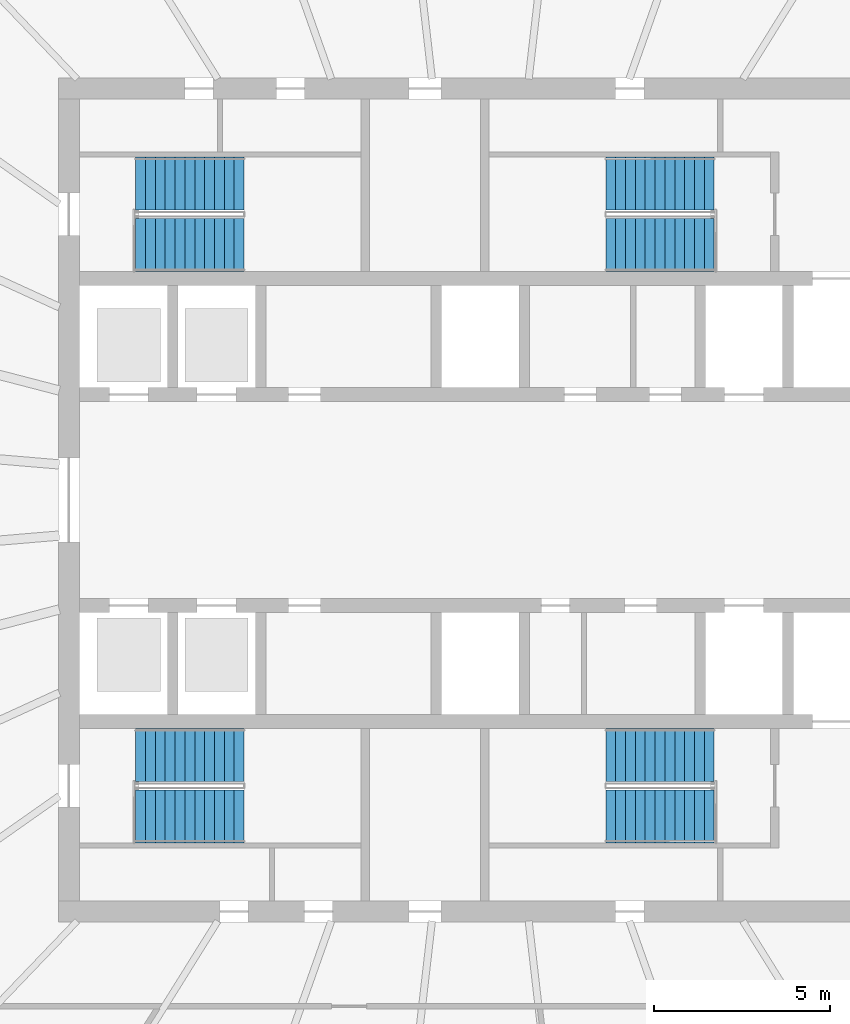
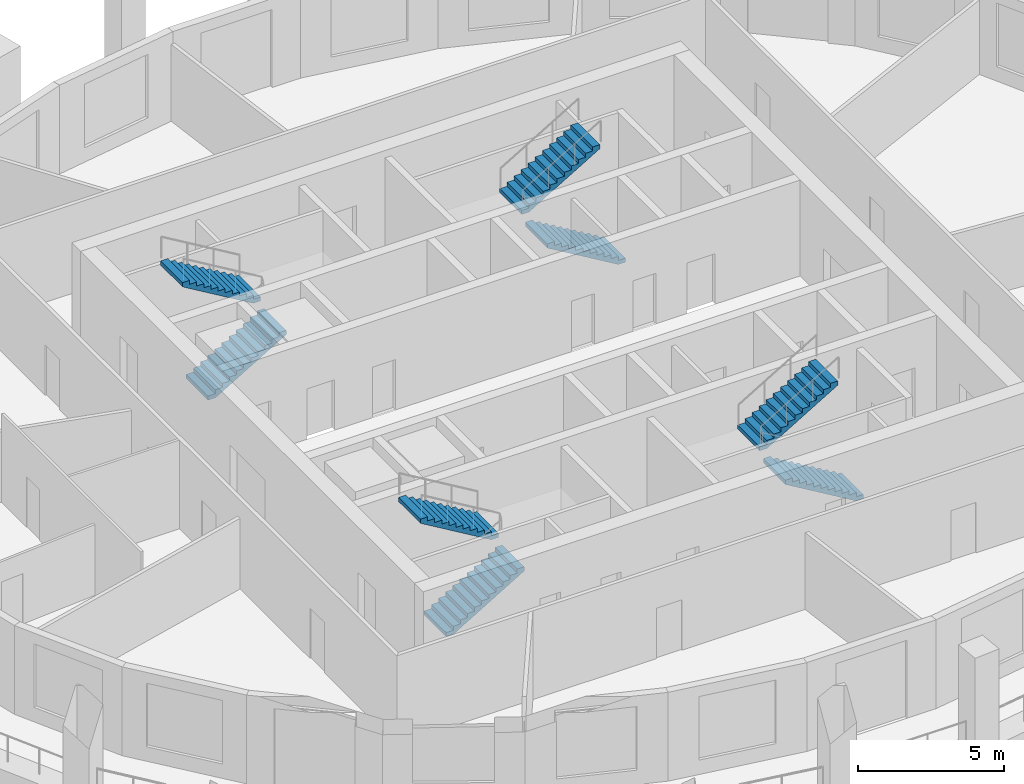
# One storey, part 7 of 10: 8 stair flights, 4 elements without a shape of their own.
"""IFC4 building model written with IfcOpenShell, lengths in metres."""

from ifc_helpers import new_model, si_unit, direction, frame, origin, place, context, subcontext, project, spatial, polyline, outline, extrude, material, type_object, element, aggregate, save


model = new_model("IFC4")

# Units and contexts
model_context = context("Model", 3, precision=1e-05, world=origin(), true_north=direction((0.0, 1.0)))
body_context = subcontext(model_context, "Body", "Model", "MODEL_VIEW")
ifc_project = project(units=[si_unit("LENGTHUNIT", "METRE"), si_unit("AREAUNIT", "SQUARE_METRE"), si_unit("VOLUMEUNIT", "CUBIC_METRE"), si_unit("PLANEANGLEUNIT", "RADIAN"), si_unit("MASSUNIT", "GRAM", prefix="KILO")], contexts=[model_context])

# Site, building, storey
site_placement = place(None, origin())
site = spatial("IfcSite", under=ifc_project, at=site_placement, CompositionType="ELEMENT")
building_placement = place(site_placement, origin())
building = spatial("IfcBuilding", under=site, at=building_placement, Name="Halqa Exchange Tower", CompositionType="ELEMENT")
storey_placement = place(building_placement, frame((0.0, 0.0, 320.300048828125)))
storey = spatial("IfcBuildingStorey", under=building, at=storey_placement, Name="L75", CompositionType="ELEMENT", Elevation=320.300048828125)

# Stair, stair flights
ifc_material = material(Name="Concrete C30/37", Category="concrete")
stair_type = type_object("IfcStairType", Name="Exit stair 1500 wide", PredefinedType="HALF_TURN_STAIR", material=ifc_material)
stair_1_placement = place(storey_placement, origin())
stair_1 = element("IfcStair", 1, at=stair_1_placement, inside=storey, type_object=stair_type, Name="Exit stair ST1", PredefinedType="HALF_TURN_STAIR")
stair_flight_type = type_object("IfcStairFlightType", Name="Stair flight 1500 wide", PredefinedType="STRAIGHT", material=ifc_material)
stair_flight_1_placement = place(storey_placement, frame((-9.800048828125, 7.25, 0.0), z_axis=(0.0, 0.0, 1.0), x_axis=(1.0, 0.0, 0.0)))
stair_flight_1 = element("IfcStairFlight", 2, at=stair_flight_1_placement, type_object=stair_flight_type, Name="ST1 flight 1", NumberOfRisers=12, NumberOfTreads=11, PredefinedType="STRAIGHT", RiserHeight=0.166666667, TreadLength=0.28, context=body_context, shape_type="SweptSolid", body=[
    extrude(outline(polyline([(0.0, 0.0), (0.0, 0.166748046875), (0.280029296875, 0.166748046875), (0.280029296875, 0.333251953125), (0.56005859375, 0.333251953125), (0.56005859375, 0.5), (0.840087890625, 0.5), (0.840087890625, 0.666748046875), (1.1201171875, 0.666748046875), (1.1201171875, 0.833251953125), (1.39990234375, 0.833251953125), (1.39990234375, 1.0), (1.679931640625, 1.0), (1.679931640625, 1.166748046875), (1.9599609375, 1.166748046875), (1.9599609375, 1.333251953125), (2.239990234375, 1.333251953125), (2.239990234375, 1.5), (2.52001953125, 1.5), (2.52001953125, 1.666748046875), (2.800048828125, 1.666748046875), (2.800048828125, 1.833251953125), (3.080078125, 1.833251953125), (3.080078125, 2.0), (3.080078125, 1.658935546875), (0.29296875, 0.0), (0.0, 0.0)])), frame((0.0, 0.75, 0.0), z_axis=(0.0, -1.0, 0.0), x_axis=(1.0, 0.0, 0.0)), (0.0, 0.0, 1.0), 1.5),
])
stair_flight_2_placement = place(storey_placement, frame((-6.719970703125, 9.0, 2.0), z_axis=(0.0, 0.0, 1.0), x_axis=(-1.0, 0.0, 0.0)))
stair_flight_2 = element("IfcStairFlight", 3, at=stair_flight_2_placement, type_object=stair_flight_type, Name="ST1 flight 2", NumberOfRisers=12, NumberOfTreads=11, PredefinedType="STRAIGHT", RiserHeight=0.166666667, TreadLength=0.28, context=body_context, shape_type="SweptSolid", body=[
    extrude(outline(polyline([(0.0, 0.0), (0.0, 0.166748046875), (0.280029296875, 0.166748046875), (0.280029296875, 0.333251953125), (0.56005859375, 0.333251953125), (0.56005859375, 0.5), (0.840087890625, 0.5), (0.840087890625, 0.666748046875), (1.1201171875, 0.666748046875), (1.1201171875, 0.833251953125), (1.39990234375, 0.833251953125), (1.39990234375, 1.0), (1.679931640625, 1.0), (1.679931640625, 1.166748046875), (1.9599609375, 1.166748046875), (1.9599609375, 1.333251953125), (2.239990234375, 1.333251953125), (2.239990234375, 1.5), (2.52001953125, 1.5), (2.52001953125, 1.666748046875), (2.800048828125, 1.666748046875), (2.800048828125, 1.833251953125), (3.080078125, 1.833251953125), (3.080078125, 2.0), (3.080078125, 1.658935546875), (0.29296875, 0.0), (0.0, 0.0)])), frame((0.0, 0.75, 0.0), z_axis=(0.0, -1.0, 0.0), x_axis=(1.0, 0.0, 0.0)), (0.0, 0.0, 1.0), 1.5),
])
aggregate(stair_1, [stair_flight_1, stair_flight_2])

stair_2_placement = place(storey_placement, origin())
stair_2 = element("IfcStair", 4, at=stair_2_placement, inside=storey, type_object=stair_type, Name="Exit stair ST2", PredefinedType="HALF_TURN_STAIR")
stair_flight_3_placement = place(storey_placement, frame((6.64990234375, 7.25, 0.0), z_axis=(0.0, 0.0, 1.0), x_axis=(-1.0, 0.0, 0.0)))
stair_flight_3 = element("IfcStairFlight", 5, at=stair_flight_3_placement, type_object=stair_flight_type, Name="ST2 flight 1", NumberOfRisers=12, NumberOfTreads=11, PredefinedType="STRAIGHT", RiserHeight=0.166666667, TreadLength=0.28, context=body_context, shape_type="SweptSolid", body=[
    extrude(outline(polyline([(0.0, 0.0), (0.0, 0.166748046875), (0.280029296875, 0.166748046875), (0.280029296875, 0.333251953125), (0.56005859375, 0.333251953125), (0.56005859375, 0.5), (0.840087890625, 0.5), (0.840087890625, 0.666748046875), (1.1201171875, 0.666748046875), (1.1201171875, 0.833251953125), (1.39990234375, 0.833251953125), (1.39990234375, 1.0), (1.679931640625, 1.0), (1.679931640625, 1.166748046875), (1.9599609375, 1.166748046875), (1.9599609375, 1.333251953125), (2.239990234375, 1.333251953125), (2.239990234375, 1.5), (2.52001953125, 1.5), (2.52001953125, 1.666748046875), (2.800048828125, 1.666748046875), (2.800048828125, 1.833251953125), (3.080078125, 1.833251953125), (3.080078125, 2.0), (3.080078125, 1.658935546875), (0.29296875, 0.0), (0.0, 0.0)])), frame((0.0, 0.75, 0.0), z_axis=(0.0, -1.0, 0.0), x_axis=(1.0, 0.0, 0.0)), (0.0, 0.0, 1.0), 1.5),
])
stair_flight_4_placement = place(storey_placement, frame((3.570068359375, 9.0, 2.0), z_axis=(0.0, 0.0, 1.0), x_axis=(1.0, 0.0, 0.0)))
stair_flight_4 = element("IfcStairFlight", 6, at=stair_flight_4_placement, type_object=stair_flight_type, Name="ST2 flight 2", NumberOfRisers=12, NumberOfTreads=11, PredefinedType="STRAIGHT", RiserHeight=0.166666667, TreadLength=0.28, context=body_context, shape_type="SweptSolid", body=[
    extrude(outline(polyline([(0.0, 0.0), (0.0, 0.166748046875), (0.280029296875, 0.166748046875), (0.280029296875, 0.333251953125), (0.56005859375, 0.333251953125), (0.56005859375, 0.5), (0.840087890625, 0.5), (0.840087890625, 0.666748046875), (1.1201171875, 0.666748046875), (1.1201171875, 0.833251953125), (1.39990234375, 0.833251953125), (1.39990234375, 1.0), (1.679931640625, 1.0), (1.679931640625, 1.166748046875), (1.9599609375, 1.166748046875), (1.9599609375, 1.333251953125), (2.239990234375, 1.333251953125), (2.239990234375, 1.5), (2.52001953125, 1.5), (2.52001953125, 1.666748046875), (2.800048828125, 1.666748046875), (2.800048828125, 1.833251953125), (3.080078125, 1.833251953125), (3.080078125, 2.0), (3.080078125, 1.658935546875), (0.29296875, 0.0), (0.0, 0.0)])), frame((0.0, 0.75, 0.0), z_axis=(0.0, -1.0, 0.0), x_axis=(1.0, 0.0, 0.0)), (0.0, 0.0, 1.0), 1.5),
])
aggregate(stair_2, [stair_flight_3, stair_flight_4])

stair_3_placement = place(storey_placement, origin())
stair_3 = element("IfcStair", 7, at=stair_3_placement, inside=storey, type_object=stair_type, Name="Exit stair ST3", PredefinedType="HALF_TURN_STAIR")
stair_flight_5_placement = place(storey_placement, frame((-9.800048828125, -9.0, 0.0), z_axis=(0.0, 0.0, 1.0), x_axis=(1.0, 0.0, 0.0)))
stair_flight_5 = element("IfcStairFlight", 8, at=stair_flight_5_placement, type_object=stair_flight_type, Name="ST3 flight 1", NumberOfRisers=12, NumberOfTreads=11, PredefinedType="STRAIGHT", RiserHeight=0.166666667, TreadLength=0.28, context=body_context, shape_type="SweptSolid", body=[
    extrude(outline(polyline([(0.0, 0.0), (0.0, 0.166748046875), (0.280029296875, 0.166748046875), (0.280029296875, 0.333251953125), (0.56005859375, 0.333251953125), (0.56005859375, 0.5), (0.840087890625, 0.5), (0.840087890625, 0.666748046875), (1.1201171875, 0.666748046875), (1.1201171875, 0.833251953125), (1.39990234375, 0.833251953125), (1.39990234375, 1.0), (1.679931640625, 1.0), (1.679931640625, 1.166748046875), (1.9599609375, 1.166748046875), (1.9599609375, 1.333251953125), (2.239990234375, 1.333251953125), (2.239990234375, 1.5), (2.52001953125, 1.5), (2.52001953125, 1.666748046875), (2.800048828125, 1.666748046875), (2.800048828125, 1.833251953125), (3.080078125, 1.833251953125), (3.080078125, 2.0), (3.080078125, 1.658935546875), (0.29296875, 0.0), (0.0, 0.0)])), frame((0.0, 0.75, 0.0), z_axis=(0.0, -1.0, 0.0), x_axis=(1.0, 0.0, 0.0)), (0.0, 0.0, 1.0), 1.5),
])
stair_flight_6_placement = place(storey_placement, frame((-6.719970703125, -7.25, 2.0), z_axis=(0.0, 0.0, 1.0), x_axis=(-1.0, 0.0, 0.0)))
stair_flight_6 = element("IfcStairFlight", 9, at=stair_flight_6_placement, type_object=stair_flight_type, Name="ST3 flight 2", NumberOfRisers=12, NumberOfTreads=11, PredefinedType="STRAIGHT", RiserHeight=0.166666667, TreadLength=0.28, context=body_context, shape_type="SweptSolid", body=[
    extrude(outline(polyline([(0.0, 0.0), (0.0, 0.166748046875), (0.280029296875, 0.166748046875), (0.280029296875, 0.333251953125), (0.56005859375, 0.333251953125), (0.56005859375, 0.5), (0.840087890625, 0.5), (0.840087890625, 0.666748046875), (1.1201171875, 0.666748046875), (1.1201171875, 0.833251953125), (1.39990234375, 0.833251953125), (1.39990234375, 1.0), (1.679931640625, 1.0), (1.679931640625, 1.166748046875), (1.9599609375, 1.166748046875), (1.9599609375, 1.333251953125), (2.239990234375, 1.333251953125), (2.239990234375, 1.5), (2.52001953125, 1.5), (2.52001953125, 1.666748046875), (2.800048828125, 1.666748046875), (2.800048828125, 1.833251953125), (3.080078125, 1.833251953125), (3.080078125, 2.0), (3.080078125, 1.658935546875), (0.29296875, 0.0), (0.0, 0.0)])), frame((0.0, 0.75, 0.0), z_axis=(0.0, -1.0, 0.0), x_axis=(1.0, 0.0, 0.0)), (0.0, 0.0, 1.0), 1.5),
])
aggregate(stair_3, [stair_flight_5, stair_flight_6])

stair_4_placement = place(storey_placement, origin())
stair_4 = element("IfcStair", 10, at=stair_4_placement, inside=storey, type_object=stair_type, Name="Exit stair ST4", PredefinedType="HALF_TURN_STAIR")
stair_flight_7_placement = place(storey_placement, frame((6.64990234375, -9.0, 0.0), z_axis=(0.0, 0.0, 1.0), x_axis=(-1.0, 0.0, 0.0)))
stair_flight_7 = element("IfcStairFlight", 11, at=stair_flight_7_placement, type_object=stair_flight_type, Name="ST4 flight 1", NumberOfRisers=12, NumberOfTreads=11, PredefinedType="STRAIGHT", RiserHeight=0.166666667, TreadLength=0.28, context=body_context, shape_type="SweptSolid", body=[
    extrude(outline(polyline([(0.0, 0.0), (0.0, 0.166748046875), (0.280029296875, 0.166748046875), (0.280029296875, 0.333251953125), (0.56005859375, 0.333251953125), (0.56005859375, 0.5), (0.840087890625, 0.5), (0.840087890625, 0.666748046875), (1.1201171875, 0.666748046875), (1.1201171875, 0.833251953125), (1.39990234375, 0.833251953125), (1.39990234375, 1.0), (1.679931640625, 1.0), (1.679931640625, 1.166748046875), (1.9599609375, 1.166748046875), (1.9599609375, 1.333251953125), (2.239990234375, 1.333251953125), (2.239990234375, 1.5), (2.52001953125, 1.5), (2.52001953125, 1.666748046875), (2.800048828125, 1.666748046875), (2.800048828125, 1.833251953125), (3.080078125, 1.833251953125), (3.080078125, 2.0), (3.080078125, 1.658935546875), (0.29296875, 0.0), (0.0, 0.0)])), frame((0.0, 0.75, 0.0), z_axis=(0.0, -1.0, 0.0), x_axis=(1.0, 0.0, 0.0)), (0.0, 0.0, 1.0), 1.5),
])
stair_flight_8_placement = place(storey_placement, frame((3.570068359375, -7.25, 2.0), z_axis=(0.0, 0.0, 1.0), x_axis=(1.0, 0.0, 0.0)))
stair_flight_8 = element("IfcStairFlight", 12, at=stair_flight_8_placement, type_object=stair_flight_type, Name="ST4 flight 2", NumberOfRisers=12, NumberOfTreads=11, PredefinedType="STRAIGHT", RiserHeight=0.166666667, TreadLength=0.28, context=body_context, shape_type="SweptSolid", body=[
    extrude(outline(polyline([(0.0, 0.0), (0.0, 0.166748046875), (0.280029296875, 0.166748046875), (0.280029296875, 0.333251953125), (0.56005859375, 0.333251953125), (0.56005859375, 0.5), (0.840087890625, 0.5), (0.840087890625, 0.666748046875), (1.1201171875, 0.666748046875), (1.1201171875, 0.833251953125), (1.39990234375, 0.833251953125), (1.39990234375, 1.0), (1.679931640625, 1.0), (1.679931640625, 1.166748046875), (1.9599609375, 1.166748046875), (1.9599609375, 1.333251953125), (2.239990234375, 1.333251953125), (2.239990234375, 1.5), (2.52001953125, 1.5), (2.52001953125, 1.666748046875), (2.800048828125, 1.666748046875), (2.800048828125, 1.833251953125), (3.080078125, 1.833251953125), (3.080078125, 2.0), (3.080078125, 1.658935546875), (0.29296875, 0.0), (0.0, 0.0)])), frame((0.0, 0.75, 0.0), z_axis=(0.0, -1.0, 0.0), x_axis=(1.0, 0.0, 0.0)), (0.0, 0.0, 1.0), 1.5),
])
aggregate(stair_4, [stair_flight_7, stair_flight_8])

save(model, "model.ifc")
